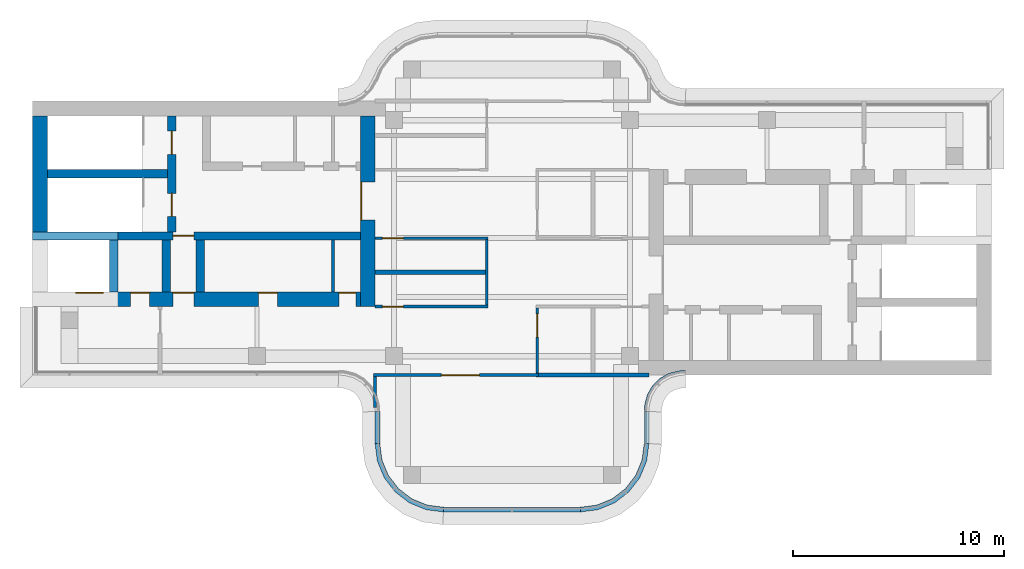
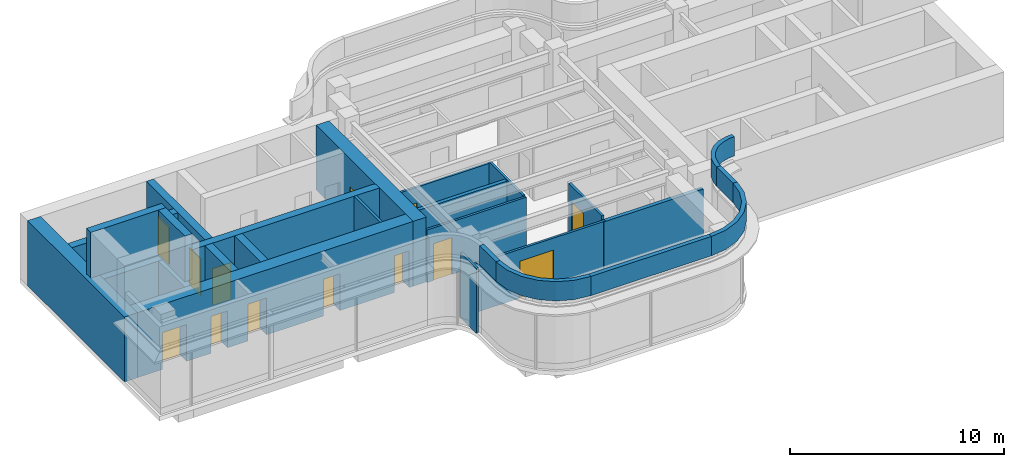
# One storey, part 6 of 9: 26 walls, 13 doors, 13 openings.
"""IFC4 building model written with IfcOpenShell, lengths in metres."""

from ifc_helpers import new_model, si_unit, direction, frame, frame_2d, origin, place, context, subcontext, project, spatial, polyline, rectangle, outline, extrude, source, transform, mapped, material, layer, layer_set, type_object, element, fill, save


model = new_model("IFC4")

# Units and contexts
model_context = context("Model", 3, precision=1e-05, world=origin(), true_north=direction((0.0, 1.0)))
body_context = subcontext(model_context, "Body", "Model", "MODEL_VIEW")
ifc_project = project(units=[si_unit("LENGTHUNIT", "METRE"), si_unit("AREAUNIT", "SQUARE_METRE"), si_unit("VOLUMEUNIT", "CUBIC_METRE"), si_unit("PLANEANGLEUNIT", "RADIAN"), si_unit("MASSUNIT", "GRAM", prefix="KILO")], contexts=[model_context])

# Site, building, storey
site_placement = place(None, origin())
site = spatial("IfcSite", under=ifc_project, at=site_placement, CompositionType="ELEMENT")
building_placement = place(site_placement, origin())
building = spatial("IfcBuilding", under=site, at=building_placement, Name="Trellis Farm Tower", CompositionType="ELEMENT")
storey_placement = place(building_placement, frame((0.0, 0.0, 358.10009765625)))
storey = spatial("IfcBuildingStorey", under=building, at=storey_placement, Name="L81", CompositionType="ELEMENT", Elevation=358.10009765625)

# Walls
ifc_material_1 = material(Name="Sandstone faced insulated wall", Category="masonry")
ifc_layer_1 = layer(ifc_material_1, 0.22509765625)
ifc_layer_set_1 = layer_set([ifc_layer_1], Name="PARAPET WALL 225")
wall_type_1 = type_object("IfcWallType", Name="PARAPET WALL 225", PredefinedType="PARAPET", material=ifc_layer_set_1)
placement = place(storey_placement, frame((0.0, 0.0, 4.0)))
element("IfcWall", 1, at=placement, inside=storey, type_object=wall_type_1, Name="EW3 02", PredefinedType="PARAPET", context=body_context, shape_type="SweptSolid", body=[
    extrude(outline(polyline([(-6.5, -9.75), (-6.38916015625, -10.591064453125), (-6.064697265625, -11.375), (-5.548095703125, -12.048095703125), (-4.875, -12.564697265625), (-4.091064453125, -12.88916015625), (-3.25, -13.0), (-3.2353515625, -12.77490234375), (-4.032470703125, -12.670166015625), (-4.761474609375, -12.3681640625), (-5.3876953125, -11.8876953125), (-5.8681640625, -11.261474609375), (-6.170166015625, -10.532470703125), (-6.27490234375, -9.7353515625), (-6.5, -9.75)])), origin(), (0.0, 0.0, 1.0), 1.099853515625),
])
wall_2_placement = place(storey_placement, frame((-3.25, -12.887451171875, 4.0), z_axis=(0.0, 0.0, 1.0), x_axis=(1.0, 0.0, 0.0)))
element("IfcWall", 2, at=wall_2_placement, inside=storey, type_object=wall_type_1, Name="EW3 03", PredefinedType="PARAPET", context=body_context, shape_type="SweptSolid", body=[
    extrude(rectangle(XDim=6.5, YDim=0.22509765625, at=frame_2d((3.25, 0.0))), origin(), (0.0, 0.0, 1.0), 1.099853515625),
])
element("IfcWall", 3, at=placement, inside=storey, type_object=wall_type_1, Name="EW3 04", PredefinedType="PARAPET", context=body_context, shape_type="SweptSolid", body=[
    extrude(outline(polyline([(3.25, -13.0), (4.091064453125, -12.88916015625), (4.875, -12.564697265625), (5.548095703125, -12.048095703125), (6.064697265625, -11.375), (6.38916015625, -10.591064453125), (6.5, -9.75), (6.27490234375, -9.7353515625), (6.170166015625, -10.532470703125), (5.8681640625, -11.261474609375), (5.3876953125, -11.8876953125), (4.761474609375, -12.3681640625), (4.032470703125, -12.670166015625), (3.2353515625, -12.77490234375), (3.25, -13.0)])), origin(), (0.0, 0.0, 1.0), 1.099853515625),
])
element("IfcWall", 4, at=placement, inside=storey, type_object=wall_type_1, Name="EW3 06", PredefinedType="PARAPET", context=body_context, shape_type="SweptSolid", body=[
    extrude(outline(polyline([(6.5, -8.2314453125), (6.513916015625, -8.01953125), (6.527587890625, -7.91552734375), (6.63671875, -7.508544921875), (6.846923828125, -7.144287109375), (7.144287109375, -6.846923828125), (7.508544921875, -6.63671875), (7.91552734375, -6.527587890625), (8.01953125, -6.513916015625), (8.2314453125, -6.5), (8.22412109375, -6.27490234375), (7.99755859375, -6.289794921875), (7.87158203125, -6.306396484375), (7.421630859375, -6.427001953125), (7.006103515625, -6.6669921875), (6.6669921875, -7.006103515625), (6.427001953125, -7.421630859375), (6.306396484375, -7.87158203125), (6.289794921875, -7.99755859375), (6.27490234375, -8.22412109375), (6.5, -8.2314453125)])), origin(), (0.0, 0.0, 1.0), 1.099853515625),
])

# Wall, opening, door
ifc_material_2 = material(Name="Concrete C50/60", Category="concrete")
ifc_layer_2 = layer(ifc_material_2, 0.699951171875)
ifc_layer_set_2 = layer_set([ifc_layer_2], Name="CORE OUTER WALL 700 CONCRETE C50/60")
wall_type_2 = type_object("IfcWallType", Name="CORE OUTER WALL 700 CONCRETE C50/60", PredefinedType="SHEAR", material=ifc_layer_set_2)
shared_shape_1 = source(origin(), body_context, "Body", "SweptSolid", [
    extrude(rectangle(XDim=9.050048828125, YDim=0.699951171875, at=frame_2d((4.52490234375, 0.0))), origin(), (0.0, 0.0, 1.0), 3.699951171875),
])
wall_5_placement = place(storey_placement, frame((-6.85009765625, 5.800048828125, 0.0), z_axis=(0.0, 0.0, 1.0), x_axis=(0.0, -1.0, 0.0)))
wall_5 = element("IfcWall", 5, at=wall_5_placement, inside=storey, type_object=wall_type_2, Name="Core wall", PredefinedType="SHEAR", context=body_context, shape_type="MappedRepresentation", body=[
    mapped(shared_shape_1, transform((0.0, 0.0, 0.0))),
])
shared_shape_2 = source(origin(), body_context, "Body", "SweptSolid", [
    extrude(rectangle(XDim=1.800048828125, YDim=2.10009765625, at=frame_2d((0.89990234375, 1.050048828125))), frame((0.0, 0.360107421875, 0.0), z_axis=(0.0, -1.0, 0.0), x_axis=(1.0, 0.0, 0.0)), (0.0, 0.0, 1.0), 0.72021484375),
])
opening_1_placement = place(wall_5_placement, frame((3.14990234375, 0.0, 0.0)))
opening_1 = element("IfcOpeningElement", 6, at=opening_1_placement, cuts=wall_5, Name="Opening DC87", PredefinedType="OPENING", context=body_context, shape_type="MappedRepresentation", body=[
    mapped(shared_shape_2, transform((0.0, 0.0, 0.0))),
])
ifc_material_3 = material(Name="Steel", Category="steel")
door_type_1 = type_object("IfcDoorType", Name="CORE FIRE DOOR DOUBLE 1800 X 2100", OperationType="DOUBLE_DOOR_SINGLE_SWING", PredefinedType="DOOR", material=ifc_material_3)
shared_shape_3 = source(origin(), body_context, "Body", "SweptSolid", [
    extrude(rectangle(XDim=1.800048828125, YDim=2.10009765625, at=frame_2d((0.89990234375, 1.050048828125))), frame((0.0, -0.27490234375, 0.0), z_axis=(0.0, -1.0, 0.0), x_axis=(1.0, 0.0, 0.0)), (0.0, 0.0, 1.0), 0.050048828125),
])
door_1_placement = place(opening_1_placement, origin())
door_1 = element("IfcDoor", 7, at=door_1_placement, inside=storey, type_object=door_type_1, Name="Core door", OperationType="DOUBLE_DOOR_SINGLE_SWING", OverallHeight=2.10009765625, OverallWidth=1.800048828125, PredefinedType="DOOR", context=body_context, shape_type="MappedRepresentation", body=[
    mapped(shared_shape_3, transform((0.0, 0.0, 0.0))),
])
fill(opening_1, door_1)

# Walls
wall_6_placement = place(storey_placement, frame((-22.39990234375, 5.800048828125, 0.0), z_axis=(0.0, 0.0, 1.0), x_axis=(0.0, -1.0, 0.0)))
element("IfcWall", 8, at=wall_6_placement, inside=storey, type_object=wall_type_2, Name="Core wall", PredefinedType="SHEAR", context=body_context, shape_type="MappedRepresentation", body=[
    mapped(shared_shape_1, transform((0.0, 0.0, 0.0))),
])
ifc_layer_3 = layer(ifc_material_2, 0.39990234375)
ifc_layer_set_3 = layer_set([ifc_layer_3], Name="CORE INNER WALL 400 CONCRETE C50/60")
wall_type_3 = type_object("IfcWallType", Name="CORE INNER WALL 400 CONCRETE C50/60", PredefinedType="SHEAR", material=ifc_layer_set_3)
shared_shape_4 = source(origin(), body_context, "Body", "SweptSolid", [
    extrude(rectangle(XDim=2.449951171875, YDim=0.39990234375, at=frame_2d((1.22509765625, 0.0))), origin(), (0.0, 0.0, 1.0), 3.699951171875),
])
for number, where, z_axis, x_axis, name in (
    (9, (-14.800048828125, -0.10009765625, 0.0), (0.0, 0.0, 1.0), (0.0, -1.0, 0.0), "Core wall"),
    (10, (-16.39990234375, -0.10009765625, 0.0), (0.0, 0.0, 1.0), (0.0, -1.0, 0.0), "Core wall"),
    (11, (-18.89990234375, -0.10009765625, 0.0), (0.0, 0.0, 1.0), (0.0, -1.0, 0.0), "Core wall"),
):
    element("IfcWall", number, at=place(storey_placement, frame(where, z_axis=z_axis, x_axis=x_axis)), inside=storey, type_object=wall_type_3, Name=name, PredefinedType="SHEAR", context=body_context, shape_type="MappedRepresentation", body=[
        mapped(shared_shape_4, transform((0.0, 0.0, 0.0))),
    ])

# Wall, openings, doors
shared_shape_5 = source(origin(), body_context, "Body", "SweptSolid", [
    extrude(rectangle(XDim=14.85009765625, YDim=0.699951171875, at=frame_2d((7.425048828125, 0.0))), origin(), (0.0, 0.0, 1.0), 3.699951171875),
])
wall_7_placement = place(storey_placement, frame((-7.199951171875, -2.89990234375, 0.0), z_axis=(0.0, 0.0, 1.0), x_axis=(-1.0, 0.0, 0.0)))
wall_7 = element("IfcWall", 12, at=wall_7_placement, inside=storey, type_object=wall_type_2, Name="Core wall", PredefinedType="SHEAR", context=body_context, shape_type="MappedRepresentation", body=[
    mapped(shared_shape_5, transform((0.0, 0.0, 0.0))),
])
shared_shape_6 = source(origin(), body_context, "Body", "SweptSolid", [
    extrude(rectangle(XDim=1.300048828125, YDim=2.10009765625, at=frame_2d((0.64990234375, 1.050048828125))), frame((0.0, 0.360107421875, 0.0), z_axis=(0.0, -1.0, 0.0), x_axis=(1.0, 0.0, 0.0)), (0.0, 0.0, 1.0), 0.72021484375),
])
opening_2_placement = place(wall_7_placement, frame((12.199951171875, 0.0, 0.0)))
opening_2 = element("IfcOpeningElement", 13, at=opening_2_placement, cuts=wall_7, Name="Opening LD15", PredefinedType="OPENING", context=body_context, shape_type="MappedRepresentation", body=[
    mapped(shared_shape_6, transform((0.0, 0.0, 0.0))),
])
shared_shape_7 = source(origin(), body_context, "Body", "SweptSolid", [
    extrude(rectangle(XDim=1.0, YDim=2.10009765625, at=frame_2d((0.5, 1.050048828125))), frame((0.0, 0.360107421875, 0.0), z_axis=(0.0, -1.0, 0.0), x_axis=(1.0, 0.0, 0.0)), (0.0, 0.0, 1.0), 0.72021484375),
])
opening_3_placement = place(wall_7_placement, frame((7.89990234375, 0.0, 0.0)))
opening_3 = element("IfcOpeningElement", 14, at=opening_3_placement, cuts=wall_7, Name="Opening DC92", PredefinedType="OPENING", context=body_context, shape_type="MappedRepresentation", body=[
    mapped(shared_shape_7, transform((0.0, 0.0, 0.0))),
])
shared_shape_8 = source(origin(), body_context, "Body", "SweptSolid", [
    extrude(rectangle(XDim=0.800048828125, YDim=2.10009765625, at=frame_2d((0.39990234375, 1.050048828125))), frame((0.0, 0.360107421875, 0.0), z_axis=(0.0, -1.0, 0.0), x_axis=(1.0, 0.0, 0.0)), (0.0, 0.0, 1.0), 0.72021484375),
])
opening_4_placement = place(wall_7_placement, frame((0.21240234375, 0.0, 0.0)))
opening_4 = element("IfcOpeningElement", 15, at=opening_4_placement, cuts=wall_7, Name="Opening DC96", PredefinedType="OPENING", context=body_context, shape_type="MappedRepresentation", body=[
    mapped(shared_shape_8, transform((0.0, 0.0, 0.0))),
])
shared_shape_9 = source(origin(), body_context, "Body", "SweptSolid", [
    extrude(rectangle(XDim=0.89990234375, YDim=2.10009765625, at=frame_2d((0.449951171875, 1.050048828125))), frame((0.0, 0.360107421875, 0.0), z_axis=(0.0, -1.0, 0.0), x_axis=(1.0, 0.0, 0.0)), (0.0, 0.0, 1.0), 0.72021484375),
])
opening_5_placement = place(wall_7_placement, frame((3.9375, 0.0, 0.0)))
opening_5 = element("IfcOpeningElement", 16, at=opening_5_placement, cuts=wall_7, Name="Opening DC103", PredefinedType="OPENING", context=body_context, shape_type="MappedRepresentation", body=[
    mapped(shared_shape_9, transform((0.0, 0.0, 0.0))),
])
opening_6_placement = place(wall_7_placement, frame((10.0, 0.0, 0.0)))
opening_6 = element("IfcOpeningElement", 17, at=opening_6_placement, cuts=wall_7, Name="Opening DC134", PredefinedType="OPENING", context=body_context, shape_type="MappedRepresentation", body=[
    mapped(shared_shape_9, transform((0.0, 0.0, 0.0))),
])
door_type_2 = type_object("IfcDoorType", Name="CORE FIRE DOOR 1000 X 2100", OperationType="NOTDEFINED", PredefinedType="DOOR", material=ifc_material_3)
shared_shape_10 = source(origin(), body_context, "Body", "SweptSolid", [
    extrude(rectangle(XDim=1.0, YDim=2.10009765625, at=frame_2d((0.5, 1.050048828125))), frame((0.0, -0.27490234375, 0.0), z_axis=(0.0, -1.0, 0.0), x_axis=(1.0, 0.0, 0.0)), (0.0, 0.0, 1.0), 0.050048828125),
])
door_2_placement = place(opening_3_placement, origin())
door_2 = element("IfcDoor", 18, at=door_2_placement, inside=storey, type_object=door_type_2, Name="Core door", OperationType="SINGLE_SWING_LEFT", OverallHeight=2.10009765625, OverallWidth=1.0, PredefinedType="DOOR", context=body_context, shape_type="MappedRepresentation", body=[
    mapped(shared_shape_10, transform((0.0, 0.0, 0.0))),
])
fill(opening_3, door_2)
door_type_3 = type_object("IfcDoorType", Name="CORE FIRE DOOR 900 X 2100", OperationType="NOTDEFINED", PredefinedType="DOOR", material=ifc_material_3)
shared_shape_11 = source(origin(), body_context, "Body", "SweptSolid", [
    extrude(rectangle(XDim=0.89990234375, YDim=2.10009765625, at=frame_2d((0.449951171875, 1.050048828125))), frame((0.0, -0.27490234375, 0.0), z_axis=(0.0, -1.0, 0.0), x_axis=(1.0, 0.0, 0.0)), (0.0, 0.0, 1.0), 0.050048828125),
])
door_3_placement = place(opening_5_placement, origin())
door_3 = element("IfcDoor", 19, at=door_3_placement, inside=storey, type_object=door_type_3, Name="Core door", OperationType="SINGLE_SWING_LEFT", OverallHeight=2.10009765625, OverallWidth=0.89990234375, PredefinedType="DOOR", context=body_context, shape_type="MappedRepresentation", body=[
    mapped(shared_shape_11, transform((0.0, 0.0, 0.0))),
])
fill(opening_5, door_3)
door_4_placement = place(opening_6_placement, origin())
door_4 = element("IfcDoor", 20, at=door_4_placement, inside=storey, type_object=door_type_3, Name="Core door", OperationType="SINGLE_SWING_RIGHT", OverallHeight=2.10009765625, OverallWidth=0.89990234375, PredefinedType="DOOR", context=body_context, shape_type="MappedRepresentation", body=[
    mapped(shared_shape_11, transform((0.0, 0.0, 0.0))),
])
fill(opening_6, door_4)
ifc_material_4 = material(Name="Stainless steel", Category="steel")
door_type_4 = type_object("IfcDoorType", Name="LIFT LANDING DOOR 1300 X 2100", OperationType="DOUBLE_DOOR_SLIDING", PredefinedType="DOOR", material=ifc_material_4)
shared_shape_12 = source(origin(), body_context, "Body", "SweptSolid", [
    extrude(rectangle(XDim=1.300048828125, YDim=2.10009765625, at=frame_2d((0.64990234375, 1.050048828125))), frame((0.0, -0.27490234375, 0.0), z_axis=(0.0, -1.0, 0.0), x_axis=(1.0, 0.0, 0.0)), (0.0, 0.0, 1.0), 0.050048828125),
])
door_5_placement = place(opening_2_placement, origin())
door_5 = element("IfcDoor", 21, at=door_5_placement, inside=storey, type_object=door_type_4, Name="Lift landing door", OperationType="DOUBLE_DOOR_SLIDING", OverallHeight=2.10009765625, OverallWidth=1.300048828125, PredefinedType="DOOR", context=body_context, shape_type="MappedRepresentation", body=[
    mapped(shared_shape_12, transform((0.0, 0.0, 0.0))),
])
fill(opening_2, door_5)
door_type_5 = type_object("IfcDoorType", Name="CORE FIRE DOOR 800 X 2100", OperationType="NOTDEFINED", PredefinedType="DOOR", material=ifc_material_3)
shared_shape_13 = source(origin(), body_context, "Body", "SweptSolid", [
    extrude(rectangle(XDim=0.800048828125, YDim=2.10009765625, at=frame_2d((0.39990234375, 1.050048828125))), frame((0.0, -0.27490234375, 0.0), z_axis=(0.0, -1.0, 0.0), x_axis=(1.0, 0.0, 0.0)), (0.0, 0.0, 1.0), 0.050048828125),
])
door_6_placement = place(opening_4_placement, origin())
door_6 = element("IfcDoor", 22, at=door_6_placement, inside=storey, type_object=door_type_5, Name="Core door", OperationType="SINGLE_SWING_RIGHT", OverallHeight=2.10009765625, OverallWidth=0.800048828125, PredefinedType="DOOR", context=body_context, shape_type="MappedRepresentation", body=[
    mapped(shared_shape_13, transform((0.0, 0.0, 0.0))),
])
fill(opening_4, door_6)

# Wall, opening, door
shared_shape_14 = source(origin(), body_context, "Body", "SweptSolid", [
    extrude(rectangle(XDim=14.85009765625, YDim=0.39990234375, at=frame_2d((7.425048828125, 0.0))), origin(), (0.0, 0.0, 1.0), 3.699951171875),
])
wall_8_placement = place(storey_placement, frame((-7.199951171875, 0.10009765625, 0.0), z_axis=(0.0, 0.0, 1.0), x_axis=(-1.0, 0.0, 0.0)))
wall_8 = element("IfcWall", 23, at=wall_8_placement, inside=storey, type_object=wall_type_3, Name="Core wall", PredefinedType="SHEAR", context=body_context, shape_type="MappedRepresentation", body=[
    mapped(shared_shape_14, transform((0.0, 0.0, 0.0))),
])
shared_shape_15 = source(origin(), body_context, "Body", "SweptSolid", [
    extrude(rectangle(XDim=1.0, YDim=2.10009765625, at=frame_2d((0.5, 1.050048828125))), frame((0.0, 0.2099609375, 0.0), z_axis=(0.0, -1.0, 0.0), x_axis=(1.0, 0.0, 0.0)), (0.0, 0.0, 1.0), 0.419921875),
])
opening_7_placement = place(wall_8_placement, frame((7.89990234375, 0.0, 0.0)))
opening_7 = element("IfcOpeningElement", 24, at=opening_7_placement, cuts=wall_8, Name="Opening DC91", PredefinedType="OPENING", context=body_context, shape_type="MappedRepresentation", body=[
    mapped(shared_shape_15, transform((0.0, 0.0, 0.0))),
])
shared_shape_16 = source(origin(), body_context, "Body", "SweptSolid", [
    extrude(rectangle(XDim=1.0, YDim=2.10009765625, at=frame_2d((0.5, 1.050048828125))), frame((0.0, 0.02490234375, 0.0), z_axis=(0.0, -1.0, 0.0), x_axis=(1.0, 0.0, 0.0)), (0.0, 0.0, 1.0), 0.050048828125),
])
door_7_placement = place(opening_7_placement, origin())
door_7 = element("IfcDoor", 25, at=door_7_placement, inside=storey, type_object=door_type_2, Name="Core door", OperationType="SINGLE_SWING_RIGHT", OverallHeight=2.10009765625, OverallWidth=1.0, PredefinedType="DOOR", context=body_context, shape_type="MappedRepresentation", body=[
    mapped(shared_shape_16, transform((0.0, 0.0, 0.0))),
])
fill(opening_7, door_7)

# Wall, openings, doors
shared_shape_17 = source(origin(), body_context, "Body", "SweptSolid", [
    extrude(rectangle(XDim=5.5, YDim=0.39990234375, at=frame_2d((2.75, 0.0))), origin(), (0.0, 0.0, 1.0), 3.699951171875),
])
wall_9_placement = place(storey_placement, frame((-16.14990234375, 5.800048828125, 0.0), z_axis=(0.0, 0.0, 1.0), x_axis=(0.0, -1.0, 0.0)))
wall_9 = element("IfcWall", 26, at=wall_9_placement, inside=storey, type_object=wall_type_3, Name="Core wall", PredefinedType="SHEAR", context=body_context, shape_type="MappedRepresentation", body=[
    mapped(shared_shape_17, transform((0.0, 0.0, 0.0))),
])
shared_shape_18 = source(origin(), body_context, "Body", "SweptSolid", [
    extrude(rectangle(XDim=1.10009765625, YDim=2.10009765625, at=frame_2d((0.550048828125, 1.050048828125))), frame((0.0, 0.2099609375, 0.0), z_axis=(0.0, -1.0, 0.0), x_axis=(1.0, 0.0, 0.0)), (0.0, 0.0, 1.0), 0.419921875),
])
opening_8_placement = place(wall_9_placement, frame((0.72509765625, 0.0, 0.0)))
opening_8 = element("IfcOpeningElement", 27, at=opening_8_placement, cuts=wall_9, Name="Opening DC88", PredefinedType="OPENING", context=body_context, shape_type="MappedRepresentation", body=[
    mapped(shared_shape_18, transform((0.0, 0.0, 0.0))),
])
opening_9_placement = place(wall_9_placement, frame((3.675048828125, 0.0, 0.0)))
opening_9 = element("IfcOpeningElement", 28, at=opening_9_placement, cuts=wall_9, Name="Opening DC89", PredefinedType="OPENING", context=body_context, shape_type="MappedRepresentation", body=[
    mapped(shared_shape_18, transform((0.0, 0.0, 0.0))),
])
door_type_6 = type_object("IfcDoorType", Name="CORE FIRE DOOR 1100 X 2100", OperationType="NOTDEFINED", PredefinedType="DOOR", material=ifc_material_3)
shared_shape_19 = source(origin(), body_context, "Body", "SweptSolid", [
    extrude(rectangle(XDim=1.10009765625, YDim=2.10009765625, at=frame_2d((0.550048828125, 1.050048828125))), frame((0.0, 0.02490234375, 0.0), z_axis=(0.0, -1.0, 0.0), x_axis=(1.0, 0.0, 0.0)), (0.0, 0.0, 1.0), 0.050048828125),
])
door_8_placement = place(opening_8_placement, origin())
door_8 = element("IfcDoor", 29, at=door_8_placement, inside=storey, type_object=door_type_6, Name="Core door", OperationType="SINGLE_SWING_RIGHT", OverallHeight=2.10009765625, OverallWidth=1.10009765625, PredefinedType="DOOR", context=body_context, shape_type="MappedRepresentation", body=[
    mapped(shared_shape_19, transform((0.0, 0.0, 0.0))),
])
fill(opening_8, door_8)
door_9_placement = place(opening_9_placement, origin())
door_9 = element("IfcDoor", 30, at=door_9_placement, inside=storey, type_object=door_type_6, Name="Core door", OperationType="SINGLE_SWING_LEFT", OverallHeight=2.10009765625, OverallWidth=1.10009765625, PredefinedType="DOOR", context=body_context, shape_type="MappedRepresentation", body=[
    mapped(shared_shape_19, transform((0.0, 0.0, 0.0))),
])
fill(opening_9, door_9)

# Walls
shared_shape_20 = source(origin(), body_context, "Body", "SweptSolid", [
    extrude(rectangle(XDim=5.699951171875, YDim=0.39990234375, at=frame_2d((2.85009765625, 0.0))), origin(), (0.0, 0.0, 1.0), 3.699951171875),
])
wall_10_placement = place(storey_placement, frame((-16.35009765625, 3.050048828125, 0.0), z_axis=(0.0, 0.0, 1.0), x_axis=(-1.0, 0.0, 0.0)))
element("IfcWall", 31, at=wall_10_placement, inside=storey, type_object=wall_type_3, Name="Core wall", PredefinedType="SHEAR", context=body_context, shape_type="MappedRepresentation", body=[
    mapped(shared_shape_20, transform((0.0, 0.0, 0.0))),
])
ifc_material_5 = material(Name="Masonry blockwork", Category="masonry")
ifc_layer_4 = layer(ifc_material_5, 0.14990234375)
ifc_layer_set_4 = layer_set([ifc_layer_4], Name="CORE PARTITION 150 BLOCKWORK")
wall_type_4 = type_object("IfcWallType", Name="CORE PARTITION 150 BLOCKWORK", PredefinedType="PARTITIONING", material=ifc_layer_set_4)
shared_shape_21 = source(origin(), body_context, "Body", "SweptSolid", [
    extrude(rectangle(XDim=2.449951171875, YDim=0.14990234375, at=frame_2d((1.22509765625, 0.0))), origin(), (0.0, 0.0, 1.0), 3.699951171875),
])
wall_11_placement = place(storey_placement, frame((-8.5, -0.10009765625, 0.0), z_axis=(0.0, 0.0, 1.0), x_axis=(0.0, -1.0, 0.0)))
element("IfcWall", 32, at=wall_11_placement, inside=storey, type_object=wall_type_4, Name="Core room partition", PredefinedType="PARTITIONING", context=body_context, shape_type="MappedRepresentation", body=[
    mapped(shared_shape_21, transform((0.0, 0.0, 0.0))),
])
ifc_layer_5 = layer(ifc_material_2, 0.39990234375)
ifc_layer_set_5 = layer_set([ifc_layer_5], Name="LIFT OVERRUN HOUSING WALL 400 CONCRETE C50/60")
wall_type_5 = type_object("IfcWallType", Name="LIFT OVERRUN HOUSING WALL 400 CONCRETE C50/60", PredefinedType="SHEAR", material=ifc_layer_set_5)
shared_shape_22 = source(origin(), body_context, "Body", "SweptSolid", [
    extrude(rectangle(XDim=4.050048828125, YDim=0.39990234375, at=frame_2d((2.02490234375, 0.0))), origin(), (0.0, 0.0, 1.0), 2.599853515625),
])
wall_12_placement = place(storey_placement, frame((-18.699951171875, 0.10009765625, 4.0), z_axis=(0.0, 0.0, 1.0), x_axis=(-1.0, 0.0, 0.0)))
element("IfcWall", 33, at=wall_12_placement, inside=storey, type_object=wall_type_5, Name="Lift overrun housing wall", PredefinedType="SHEAR", context=body_context, shape_type="MappedRepresentation", body=[
    mapped(shared_shape_22, transform((0.0, 0.0, 0.0))),
])
shared_shape_23 = source(origin(), body_context, "Body", "SweptSolid", [
    extrude(rectangle(XDim=2.449951171875, YDim=0.39990234375, at=frame_2d((1.22509765625, 0.0))), origin(), (0.0, 0.0, 1.0), 2.599853515625),
])
wall_13_placement = place(storey_placement, frame((-18.89990234375, -0.10009765625, 4.0), z_axis=(0.0, 0.0, 1.0), x_axis=(0.0, -1.0, 0.0)))
element("IfcWall", 34, at=wall_13_placement, inside=storey, type_object=wall_type_5, Name="Lift overrun housing wall", PredefinedType="SHEAR", context=body_context, shape_type="MappedRepresentation", body=[
    mapped(shared_shape_23, transform((0.0, 0.0, 0.0))),
])
shared_shape_24 = source(origin(), body_context, "Body", "SweptSolid", [
    extrude(rectangle(XDim=1.5185546875, YDim=0.22509765625, at=frame_2d((0.75927734375, 0.0))), origin(), (0.0, 0.0, 1.0), 1.099853515625),
])
for number, where, z_axis, x_axis, name in (
    (35, (-6.387451171875, -8.2314453125, 4.0), (0.0, 0.0, 1.0), (0.0, -1.0, 0.0), "EW3 01"),
    (36, (6.387451171875, -9.75, 4.0), (0.0, 0.0, 1.0), (0.0, 1.0, 0.0), "EW3 05"),
):
    element("IfcWall", number, at=place(storey_placement, frame(where, z_axis=z_axis, x_axis=x_axis)), inside=storey, type_object=wall_type_1, Name=name, PredefinedType="PARAPET", context=body_context, shape_type="MappedRepresentation", body=[
        mapped(shared_shape_24, transform((0.0, 0.0, 0.0))),
    ])
ifc_material_6 = material(Name="Plasterboard on steel studs, mineral wool", Category="steel")
ifc_layer_6 = layer(ifc_material_6, 0.125)
ifc_layer_set_6 = layer_set([ifc_layer_6], Name="PARTITION 125 STUD EI 60")
wall_type_6 = type_object("IfcWallType", Name="PARTITION 125 STUD EI 60", PredefinedType="PARTITIONING", material=ifc_layer_set_6)
shared_shape_25 = source(origin(), body_context, "Body", "SweptSolid", [
    extrude(rectangle(XDim=1.468994140625, YDim=0.125, at=frame_2d((0.734375, 0.0))), origin(), (0.0, 0.0, 1.0), 3.699951171875),
])
wall_14_placement = place(storey_placement, frame((-6.5, -6.5625, 0.0), z_axis=(0.0, 0.0, 1.0), x_axis=(0.0, -1.0, 0.0)))
element("IfcWall", 37, at=wall_14_placement, inside=storey, type_object=wall_type_6, Name="Partition PW1", PredefinedType="PARTITIONING", context=body_context, shape_type="MappedRepresentation", body=[
    mapped(shared_shape_25, transform((0.0, 0.0, 0.0))),
])

# Wall, opening, door
shared_shape_26 = source(origin(), body_context, "Body", "SweptSolid", [
    extrude(rectangle(XDim=5.362548828125, YDim=0.125, at=frame_2d((2.68115234375, 0.0))), origin(), (0.0, 0.0, 1.0), 2.99658203125),
])
wall_15_placement = place(storey_placement, frame((-1.137451171875, -3.25, 0.0), z_axis=(0.0, 0.0, 1.0), x_axis=(-1.0, 0.0, 0.0)))
wall_15 = element("IfcWall", 38, at=wall_15_placement, inside=storey, type_object=wall_type_6, Name="Partition PW1", PredefinedType="PARTITIONING", context=body_context, shape_type="MappedRepresentation", body=[
    mapped(shared_shape_26, transform((0.0, 0.0, 0.0))),
])
shared_shape_27 = source(origin(), body_context, "Body", "SweptSolid", [
    extrude(rectangle(XDim=1.0, YDim=2.10009765625, at=frame_2d((0.5, 1.050048828125))), frame((0.0, 0.072509765625, 0.0), z_axis=(0.0, -1.0, 0.0), x_axis=(1.0, 0.0, 0.0)), (0.0, 0.0, 1.0), 0.14501953125),
])
opening_10_placement = place(wall_15_placement, frame((4.012451171875, 0.0, 0.0)))
opening_10 = element("IfcOpeningElement", 39, at=opening_10_placement, cuts=wall_15, Name="Opening D101", PredefinedType="OPENING", context=body_context, shape_type="MappedRepresentation", body=[
    mapped(shared_shape_27, transform((0.0, 0.0, 0.0))),
])
ifc_material_7 = material(Name="Fire-rated timber door leaf in a hollow metal frame", Category="wood")
door_type_7 = type_object("IfcDoorType", Name="DOOR 1000x2100 FD30S", OperationType="NOTDEFINED", PredefinedType="DOOR", material=ifc_material_7)
door_10_placement = place(opening_10_placement, origin())
door_10 = element("IfcDoor", 40, at=door_10_placement, inside=storey, type_object=door_type_7, Name="Door D101", OperationType="SINGLE_SWING_RIGHT", OverallHeight=2.10009765625, OverallWidth=1.0, PredefinedType="DOOR", context=body_context, shape_type="MappedRepresentation", body=[
    mapped(shared_shape_16, transform((0.0, 0.0, 0.0))),
])
fill(opening_10, door_10)

wall_16_placement = place(storey_placement, frame((-1.137451171875, 0.0, 0.0), z_axis=(0.0, 0.0, 1.0), x_axis=(-1.0, 0.0, 0.0)))
wall_16 = element("IfcWall", 41, at=wall_16_placement, inside=storey, type_object=wall_type_6, Name="Partition PW1", PredefinedType="PARTITIONING", context=body_context, shape_type="MappedRepresentation", body=[
    mapped(shared_shape_26, transform((0.0, 0.0, 0.0))),
])
opening_11_placement = place(wall_16_placement, frame((4.012451171875, 0.0, 0.0)))
opening_11 = element("IfcOpeningElement", 42, at=opening_11_placement, cuts=wall_16, Name="Opening D302", PredefinedType="OPENING", context=body_context, shape_type="MappedRepresentation", body=[
    mapped(shared_shape_27, transform((0.0, 0.0, 0.0))),
])
door_type_8 = type_object("IfcDoorType", Name="DOOR 1000x2100 FD60", OperationType="NOTDEFINED", PredefinedType="DOOR", material=ifc_material_7)
door_11_placement = place(opening_11_placement, origin())
door_11 = element("IfcDoor", 43, at=door_11_placement, inside=storey, type_object=door_type_8, Name="Door D302", OperationType="SINGLE_SWING_RIGHT", OverallHeight=2.10009765625, OverallWidth=1.0, PredefinedType="DOOR", context=body_context, shape_type="MappedRepresentation", body=[
    mapped(shared_shape_16, transform((0.0, 0.0, 0.0))),
])
fill(opening_11, door_11)

# Wall
shared_shape_28 = source(origin(), body_context, "Body", "SweptSolid", [
    extrude(rectangle(XDim=3.125, YDim=0.125, at=frame_2d((1.5625, 0.0))), origin(), (0.0, 0.0, 1.0), 3.067626953125),
])
wall_17_placement = place(storey_placement, frame((-1.199951171875, -0.0625, 0.0), z_axis=(0.0, 0.0, 1.0), x_axis=(0.0, -1.0, 0.0)))
element("IfcWall", 44, at=wall_17_placement, inside=storey, type_object=wall_type_6, Name="Partition PW1", PredefinedType="PARTITIONING", context=body_context, shape_type="MappedRepresentation", body=[
    mapped(shared_shape_28, transform((0.0, 0.0, 0.0))),
])

# Wall, opening, door
shared_shape_29 = source(origin(), body_context, "Body", "SweptSolid", [
    extrude(rectangle(XDim=3.08740234375, YDim=0.125, at=frame_2d((1.543701171875, 0.0))), origin(), (0.0, 0.0, 1.0), 2.99658203125),
])
wall_18_placement = place(storey_placement, frame((1.199951171875, -3.3125, 0.0), z_axis=(0.0, 0.0, 1.0), x_axis=(0.0, -1.0, 0.0)))
wall_18 = element("IfcWall", 45, at=wall_18_placement, inside=storey, type_object=wall_type_6, Name="Partition PW1", PredefinedType="PARTITIONING", context=body_context, shape_type="MappedRepresentation", body=[
    mapped(shared_shape_29, transform((0.0, 0.0, 0.0))),
])
shared_shape_30 = source(origin(), body_context, "Body", "SweptSolid", [
    extrude(rectangle(XDim=1.10009765625, YDim=2.10009765625, at=frame_2d((0.550048828125, 1.050048828125))), frame((0.0, 0.072509765625, 0.0), z_axis=(0.0, -1.0, 0.0), x_axis=(1.0, 0.0, 0.0)), (0.0, 0.0, 1.0), 0.14501953125),
])
opening_12_placement = place(wall_18_placement, frame((0.28759765625, 0.0, 0.0)))
opening_12 = element("IfcOpeningElement", 46, at=opening_12_placement, cuts=wall_18, Name="Opening D501", PredefinedType="OPENING", context=body_context, shape_type="MappedRepresentation", body=[
    mapped(shared_shape_30, transform((0.0, 0.0, 0.0))),
])
door_type_9 = type_object("IfcDoorType", Name="DOOR 1100x2100 FD30S", OperationType="NOTDEFINED", PredefinedType="DOOR", material=ifc_material_7)
door_12_placement = place(opening_12_placement, origin())
door_12 = element("IfcDoor", 47, at=door_12_placement, inside=storey, type_object=door_type_9, Name="Door D501", OperationType="SINGLE_SWING_LEFT", OverallHeight=2.10009765625, OverallWidth=1.10009765625, PredefinedType="DOOR", context=body_context, shape_type="MappedRepresentation", body=[
    mapped(shared_shape_19, transform((0.0, 0.0, 0.0))),
])
fill(opening_12, door_12)

# Walls
ifc_material_8 = material(Name="Lightweight blockwork, plastered", Category="masonry")
ifc_layer_7 = layer(ifc_material_8, 0.199951171875)
ifc_layer_set_7 = layer_set([ifc_layer_7], Name="BLOCK WALL 200 EI 120")
wall_type_7 = type_object("IfcWallType", Name="BLOCK WALL 200 EI 120", PredefinedType="PARTITIONING", material=ifc_layer_set_7)
shared_shape_31 = source(origin(), body_context, "Body", "SweptSolid", [
    extrude(rectangle(XDim=5.237548828125, YDim=0.199951171875, at=frame_2d((2.61865234375, 0.0))), origin(), (0.0, 0.0, 1.0), 2.99658203125),
])
wall_19_placement = place(storey_placement, frame((-6.5, -1.625, 0.0), z_axis=(0.0, 0.0, 1.0), x_axis=(1.0, 0.0, 0.0)))
element("IfcWall", 48, at=wall_19_placement, inside=storey, type_object=wall_type_7, Name="Partition PW3", PredefinedType="PARTITIONING", context=body_context, shape_type="MappedRepresentation", body=[
    mapped(shared_shape_31, transform((0.0, 0.0, 0.0))),
])
shared_shape_32 = source(origin(), body_context, "Body", "SweptSolid", [
    extrude(rectangle(XDim=5.362548828125, YDim=0.199951171875, at=frame_2d((2.68115234375, 0.0))), origin(), (0.0, 0.0, 1.0), 2.77978515625),
])
wall_20_placement = place(storey_placement, frame((1.137451171875, -6.5, 0.0), z_axis=(0.0, 0.0, 1.0), x_axis=(1.0, 0.0, 0.0)))
element("IfcWall", 49, at=wall_20_placement, inside=storey, type_object=wall_type_7, Name="Partition PW3", PredefinedType="PARTITIONING", context=body_context, shape_type="MappedRepresentation", body=[
    mapped(shared_shape_32, transform((0.0, 0.0, 0.0))),
])

# Wall, opening, door
shared_shape_33 = source(origin(), body_context, "Body", "SweptSolid", [
    extrude(rectangle(XDim=7.824951171875, YDim=0.125, at=frame_2d((3.91259765625, 0.0))), origin(), (0.0, 0.0, 1.0), 2.77978515625),
])
wall_21_placement = place(storey_placement, frame((1.262451171875, -6.5, 0.0), z_axis=(0.0, 0.0, 1.0), x_axis=(-1.0, 0.0, 0.0)))
wall_21 = element("IfcWall", 50, at=wall_21_placement, inside=storey, type_object=wall_type_6, Name="Partition PW1", PredefinedType="PARTITIONING", context=body_context, shape_type="MappedRepresentation", body=[
    mapped(shared_shape_33, transform((0.0, 0.0, 0.0))),
])
shared_shape_34 = source(origin(), body_context, "Body", "SweptSolid", [
    extrude(rectangle(XDim=1.800048828125, YDim=2.10009765625, at=frame_2d((0.89990234375, 1.050048828125))), frame((0.0, 0.072509765625, 0.0), z_axis=(0.0, -1.0, 0.0), x_axis=(1.0, 0.0, 0.0)), (0.0, 0.0, 1.0), 0.14501953125),
])
opening_13_placement = place(wall_21_placement, frame((2.8125, 0.0, 0.0)))
opening_13 = element("IfcOpeningElement", 51, at=opening_13_placement, cuts=wall_21, Name="Opening D401", PredefinedType="OPENING", context=body_context, shape_type="MappedRepresentation", body=[
    mapped(shared_shape_34, transform((0.0, 0.0, 0.0))),
])
door_type_10 = type_object("IfcDoorType", Name="DOOR PAIR 1800x2100 FD60", OperationType="NOTDEFINED", PredefinedType="DOOR", material=ifc_material_7)
shared_shape_35 = source(origin(), body_context, "Body", "SweptSolid", [
    extrude(rectangle(XDim=1.800048828125, YDim=2.10009765625, at=frame_2d((0.89990234375, 1.050048828125))), frame((0.0, 0.02490234375, 0.0), z_axis=(0.0, -1.0, 0.0), x_axis=(1.0, 0.0, 0.0)), (0.0, 0.0, 1.0), 0.050048828125),
])
door_13_placement = place(opening_13_placement, origin())
door_13 = element("IfcDoor", 52, at=door_13_placement, inside=storey, type_object=door_type_10, Name="Door D401", OperationType="DOUBLE_DOOR_SINGLE_SWING", OverallHeight=2.10009765625, OverallWidth=1.800048828125, PredefinedType="DOOR", context=body_context, shape_type="MappedRepresentation", body=[
    mapped(shared_shape_35, transform((0.0, 0.0, 0.0))),
])
fill(opening_13, door_13)

save(model, "model.ifc")
